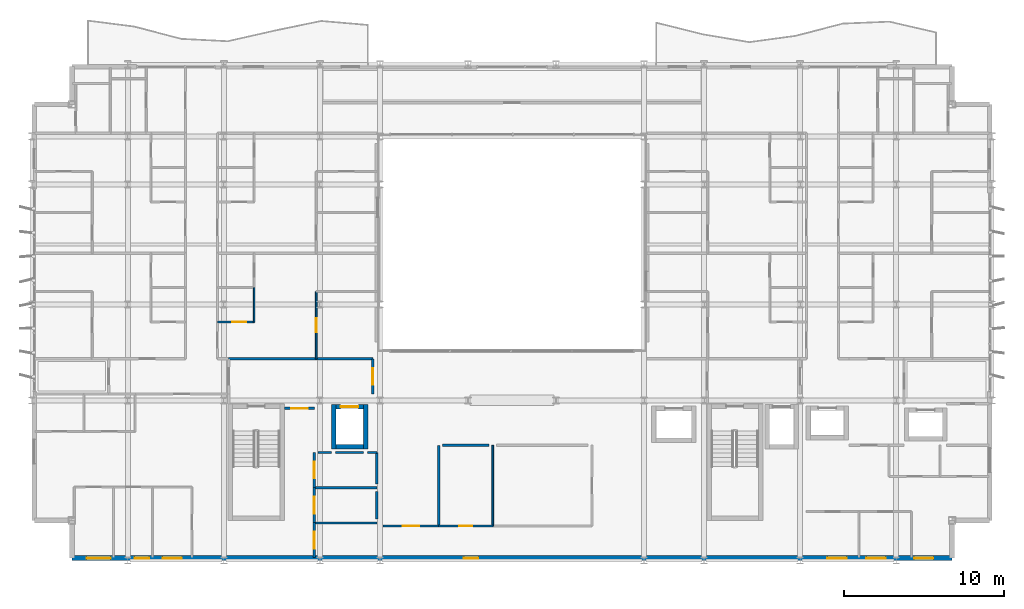
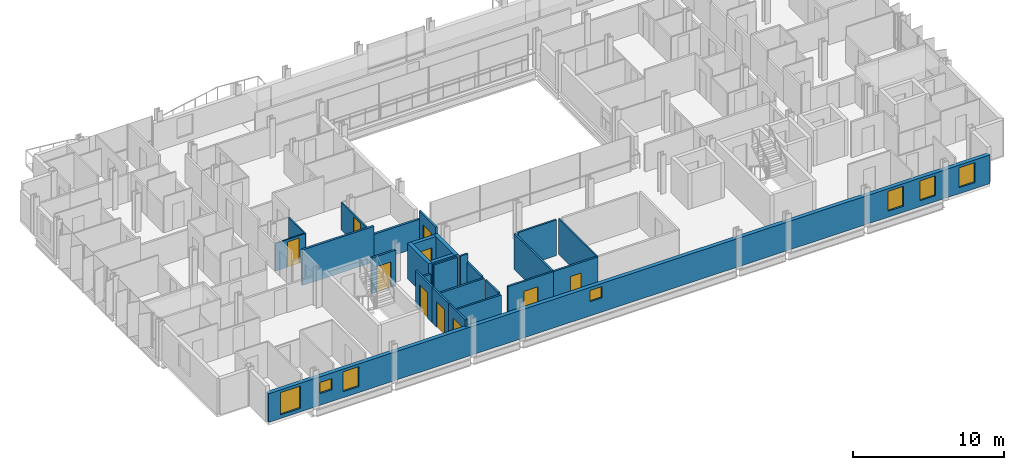
# One storey, part 28 of 39: 27 walls, 10 doors, 7 windows, 17 openings.
"""IFC4 building model written with IfcOpenShell, lengths in metres."""

from ifc_helpers import new_model, si_unit, direction, frame, frame_2d, origin, place, context, subcontext, project, spatial, rectangle, extrude, material, layer, layer_set, type_object, element, fill, save


model = new_model("IFC4")

# Units and contexts
model_context = context("Model", 3, precision=1e-05, world=origin(), true_north=direction((0.0, 1.0)))
body_context = subcontext(model_context, "Body", "Model", "MODEL_VIEW")
ifc_project = project(units=[si_unit("LENGTHUNIT", "METRE"), si_unit("AREAUNIT", "SQUARE_METRE"), si_unit("VOLUMEUNIT", "CUBIC_METRE"), si_unit("PLANEANGLEUNIT", "RADIAN"), si_unit("MASSUNIT", "GRAM", prefix="KILO")], contexts=[model_context])

# Site, building, storey
site_placement = place(None, origin())
site = spatial("IfcSite", under=ifc_project, at=site_placement, CompositionType="ELEMENT")
building_placement = place(site_placement, origin())
building = spatial("IfcBuilding", under=site, at=building_placement, Name="Brevholm Reach", CompositionType="ELEMENT")
storey_placement = place(building_placement, frame((0.0, 0.0, 77.60009765625)))
storey = spatial("IfcBuildingStorey", under=building, at=storey_placement, Name="L22", CompositionType="ELEMENT", Elevation=77.60009765625)

# Walls
ifc_material_1 = material(Name="Concrete C50/60", Category="concrete")
ifc_layer_1 = layer(ifc_material_1, 0.280029296875)
ifc_layer_set_1 = layer_set([ifc_layer_1], Name="Concrete C50/60")
wall_type_1 = type_object("IfcWallType", Name="WAL-COR-280", PredefinedType="SHEAR", material=ifc_layer_set_1)
for number, where, z_axis, x_axis, name in (
    (1, (18.85009765625, 6.9599609375, 0.0), (0.0, 0.0, 1.0), (0.0, 1.0, 0.0), "L22 Lift FFL-1 Shaft Wall W"),
    (2, (20.85009765625, 6.9599609375, 0.0), (0.0, 0.0, 1.0), (0.0, 1.0, 0.0), "L22 Lift FFL-1 Shaft Wall E"),
):
    element("IfcWall", number, at=place(storey_placement, frame(where, z_axis=z_axis, x_axis=x_axis)), inside=storey, type_object=wall_type_1, Name=name, PredefinedType="SHEAR", context=body_context, shape_type="SweptSolid", body=[
        extrude(rectangle(XDim=2.780029296875, YDim=0.280029296875, at=frame_2d((1.39013671875, 0.0))), origin(), (0.0, 0.0, 1.0), 2.869873046875),
    ])
wall_1_placement = place(storey_placement, frame((18.989990234375, 7.10009765625, 0.0), z_axis=(0.0, 0.0, 1.0), x_axis=(1.0, 0.0, 0.0)))
element("IfcWall", 3, at=wall_1_placement, inside=storey, type_object=wall_type_1, Name="L22 Lift FFL-1 Shaft Wall S", PredefinedType="SHEAR", context=body_context, shape_type="SweptSolid", body=[
    extrude(rectangle(XDim=1.719970703125, YDim=0.280029296875, at=frame_2d((0.85986328125, 0.0))), origin(), (0.0, 0.0, 1.0), 2.869873046875),
])

# Wall, opening, door
wall_2_placement = place(storey_placement, frame((18.989990234375, 9.60009765625, 0.0), z_axis=(0.0, 0.0, 1.0), x_axis=(1.0, 0.0, 0.0)))
wall_2 = element("IfcWall", 4, at=wall_2_placement, inside=storey, type_object=wall_type_1, Name="L22 Lift FFL-1 Shaft Wall N", PredefinedType="SHEAR", context=body_context, shape_type="SweptSolid", body=[
    extrude(rectangle(XDim=1.719970703125, YDim=0.280029296875, at=frame_2d((0.85986328125, 0.0))), origin(), (0.0, 0.0, 1.0), 2.869873046875),
])
opening_1_placement = place(wall_2_placement, frame((0.31005859375, 0.0, 0.0)))
opening_1 = element("IfcOpeningElement", 5, at=opening_1_placement, cuts=wall_2, Name="Opening LD-FFL-1", PredefinedType="OPENING", context=body_context, shape_type="SweptSolid", body=[
    extrude(rectangle(XDim=1.10009765625, YDim=2.06005859375, at=frame_2d((0.550048828125, 1.030029296875))), frame((0.0, 0.14990234375, 0.0), z_axis=(0.0, -1.0, 0.0), x_axis=(1.0, 0.0, 0.0)), (0.0, 0.0, 1.0), 0.300048828125),
])
ifc_material_2 = material(Name="Brushed Stainless Steel Fire-Rated Sliding Lift Door", Category="steel")
door_type_1 = type_object("IfcDoorType", Name="DOR-LFT-1100", OperationType="NOTDEFINED", PredefinedType="DOOR", material=ifc_material_2)
door_1_placement = place(opening_1_placement, origin())
door_1 = element("IfcDoor", 6, at=door_1_placement, inside=storey, type_object=door_type_1, Name="L22 Lift FFL-1 Sliding Landing Door", OperationType="SLIDING_TO_RIGHT", OverallHeight=2.06005859375, OverallWidth=1.10009765625, PredefinedType="DOOR", context=body_context, shape_type="SweptSolid", body=[
    extrude(rectangle(XDim=1.10009765625, YDim=2.06005859375, at=frame_2d((0.550048828125, 1.030029296875))), frame((0.0, 0.02490234375, 0.0), z_axis=(0.0, -1.0, 0.0), x_axis=(1.0, 0.0, 0.0)), (0.0, 0.0, 1.0), 0.050048828125),
])
fill(opening_1, door_1)

# Wall, openings, windows
ifc_material_3 = material(Name="Concrete C40/50", Category="concrete")
ifc_layer_2 = layer(ifc_material_3, 0.300048828125)
ifc_layer_set_2 = layer_set([ifc_layer_2], Name="Concrete C40/50")
wall_type_2 = type_object("IfcWallType", Name="WAL-EXT-300", PredefinedType="STANDARD", material=ifc_layer_set_2)
wall_3_placement = place(storey_placement, frame((2.5, 0.14990234375, 0.0), z_axis=(0.0, 0.0, 1.0), x_axis=(1.0, 0.0, 0.0)))
wall_3 = element("IfcWall", 7, at=wall_3_placement, inside=storey, type_object=wall_type_2, Name="L22 Facade Wall WAL-L22-S", PredefinedType="STANDARD", context=body_context, shape_type="SweptSolid", body=[
    extrude(rectangle(XDim=55.0, YDim=0.300048828125, at=frame_2d((27.5, 0.0))), origin(), (0.0, 0.0, 1.0), 2.305419921875),
])
opening_2_placement = place(wall_3_placement, frame((0.919921875, 0.0, 0.285888671875)))
opening_2 = element("IfcOpeningElement", 8, at=opening_2_placement, cuts=wall_3, Name="Opening WN-05", PredefinedType="OPENING", context=body_context, shape_type="SweptSolid", body=[
    extrude(rectangle(XDim=1.5, YDim=1.800048828125, at=frame_2d((0.75, 0.89990234375))), frame((0.0, 0.159912109375, 0.0), z_axis=(0.0, -1.0, 0.0), x_axis=(1.0, 0.0, 0.0)), (0.0, 0.0, 1.0), 0.320068359375),
])
opening_3_placement = place(wall_3_placement, frame((24.5, 0.0, 1.14990234375)))
opening_3 = element("IfcOpeningElement", 9, at=opening_3_placement, cuts=wall_3, Name="Opening WN-09", PredefinedType="OPENING", context=body_context, shape_type="SweptSolid", body=[
    extrude(rectangle(XDim=0.89990234375, YDim=0.89990234375, at=frame_2d((0.449951171875, 0.449951171875))), frame((0.0, 0.159912109375, 0.0), z_axis=(0.0, -1.0, 0.0), x_axis=(1.0, 0.0, 0.0)), (0.0, 0.0, 1.0), 0.320068359375),
])
opening_4_placement = place(wall_3_placement, frame((47.199951171875, 0.0, 0.486083984375)))
opening_4 = element("IfcOpeningElement", 10, at=opening_4_placement, cuts=wall_3, Name="Opening WN-08", PredefinedType="OPENING", context=body_context, shape_type="SweptSolid", body=[
    extrude(rectangle(XDim=1.199951171875, YDim=1.60009765625, at=frame_2d((0.60009765625, 0.800048828125))), frame((0.0, 0.159912109375, 0.0), z_axis=(0.0, -1.0, 0.0), x_axis=(1.0, 0.0, 0.0)), (0.0, 0.0, 1.0), 0.320068359375),
])
opening_5_placement = place(wall_3_placement, frame((52.6298828125, 0.0, 0.486083984375)))
opening_5 = element("IfcOpeningElement", 11, at=opening_5_placement, cuts=wall_3, Name="Opening WN-08", PredefinedType="OPENING", context=body_context, shape_type="SweptSolid", body=[
    extrude(rectangle(XDim=1.199951171875, YDim=1.60009765625, at=frame_2d((0.60009765625, 0.800048828125))), frame((0.0, 0.159912109375, 0.0), z_axis=(0.0, -1.0, 0.0), x_axis=(1.0, 0.0, 0.0)), (0.0, 0.0, 1.0), 0.320068359375),
])
opening_6_placement = place(wall_3_placement, frame((3.923828125, 0.0, 0.949951171875)))
opening_6 = element("IfcOpeningElement", 12, at=opening_6_placement, cuts=wall_3, Name="Opening WN-09", PredefinedType="OPENING", context=body_context, shape_type="SweptSolid", body=[
    extrude(rectangle(XDim=0.89990234375, YDim=0.89990234375, at=frame_2d((0.449951171875, 0.449951171875))), frame((0.0, 0.159912109375, 0.0), z_axis=(0.0, -1.0, 0.0), x_axis=(1.0, 0.0, 0.0)), (0.0, 0.0, 1.0), 0.320068359375),
])
opening_7_placement = place(wall_3_placement, frame((5.675048828125, 0.0, 0.485595703125)))
opening_7 = element("IfcOpeningElement", 13, at=opening_7_placement, cuts=wall_3, Name="Opening WN-08", PredefinedType="OPENING", context=body_context, shape_type="SweptSolid", body=[
    extrude(rectangle(XDim=1.199951171875, YDim=1.60009765625, at=frame_2d((0.60009765625, 0.800048828125))), frame((0.0, 0.159912109375, 0.0), z_axis=(0.0, -1.0, 0.0), x_axis=(1.0, 0.0, 0.0)), (0.0, 0.0, 1.0), 0.320068359375),
])
opening_8_placement = place(wall_3_placement, frame((49.638671875, 0.0, 0.485595703125)))
opening_8 = element("IfcOpeningElement", 14, at=opening_8_placement, cuts=wall_3, Name="Opening WN-08", PredefinedType="OPENING", context=body_context, shape_type="SweptSolid", body=[
    extrude(rectangle(XDim=1.199951171875, YDim=1.60009765625, at=frame_2d((0.60009765625, 0.800048828125))), frame((0.0, 0.159912109375, 0.0), z_axis=(0.0, -1.0, 0.0), x_axis=(1.0, 0.0, 0.0)), (0.0, 0.0, 1.0), 0.320068359375),
])
ifc_material_4 = material(Name="Dark Anodised Aluminium and Solar-Control IGU Glass", Category="aluminium")
window_type_1 = type_object("IfcWindowType", Name="WIN-POR-0900", PartitioningType="SINGLE_PANEL", PredefinedType="WINDOW", material=ifc_material_4)
window_1_placement = place(opening_3_placement, origin())
window_1 = element("IfcWindow", 15, at=window_1_placement, inside=storey, type_object=window_type_1, Name="L22 Window WIN-L22-S-POR", OverallHeight=0.89990234375, OverallWidth=0.89990234375, PartitioningType="SINGLE_PANEL", PredefinedType="WINDOW", context=body_context, shape_type="SweptSolid", body=[
    extrude(rectangle(XDim=0.89990234375, YDim=0.89990234375, at=frame_2d((0.449951171875, 0.449951171875))), frame((0.0, 0.030029296875, 0.0), z_axis=(0.0, -1.0, 0.0), x_axis=(1.0, 0.0, 0.0)), (0.0, 0.0, 1.0), 0.06005859375),
])
fill(opening_3, window_1)
window_2_placement = place(opening_6_placement, origin())
window_2 = element("IfcWindow", 16, at=window_2_placement, inside=storey, type_object=window_type_1, Name="L22 Bedroom Window 023", OverallHeight=0.89990234375, OverallWidth=0.89990234375, PartitioningType="SINGLE_PANEL", PredefinedType="WINDOW", context=body_context, shape_type="SweptSolid", body=[
    extrude(rectangle(XDim=0.89990234375, YDim=0.89990234375, at=frame_2d((0.449951171875, 0.449951171875))), frame((0.0, 0.030029296875, 0.0), z_axis=(0.0, -1.0, 0.0), x_axis=(1.0, 0.0, 0.0)), (0.0, 0.0, 1.0), 0.06005859375),
])
fill(opening_6, window_2)
ifc_material_5 = material(Name="Dark Anodised Aluminium and Solar-Control IGU Glass", Category="aluminium")
window_type_2 = type_object("IfcWindowType", Name="WIN-RES-1200", PartitioningType="SINGLE_PANEL", PredefinedType="WINDOW", material=ifc_material_5)
window_3_placement = place(opening_4_placement, origin())
window_3 = element("IfcWindow", 17, at=window_3_placement, inside=storey, type_object=window_type_2, Name="L22 Window WIN-L22-S-E1", OverallHeight=1.60009765625, OverallWidth=1.199951171875, PartitioningType="SINGLE_PANEL", PredefinedType="WINDOW", context=body_context, shape_type="SweptSolid", body=[
    extrude(rectangle(XDim=1.199951171875, YDim=1.60009765625, at=frame_2d((0.60009765625, 0.800048828125))), frame((0.0, 0.030029296875, 0.0), z_axis=(0.0, -1.0, 0.0), x_axis=(1.0, 0.0, 0.0)), (0.0, 0.0, 1.0), 0.06005859375),
])
fill(opening_4, window_3)
window_4_placement = place(opening_5_placement, origin())
window_4 = element("IfcWindow", 18, at=window_4_placement, inside=storey, type_object=window_type_2, Name="L22 Window WIN-L22-S-E2", OverallHeight=1.60009765625, OverallWidth=1.199951171875, PartitioningType="SINGLE_PANEL", PredefinedType="WINDOW", context=body_context, shape_type="SweptSolid", body=[
    extrude(rectangle(XDim=1.199951171875, YDim=1.60009765625, at=frame_2d((0.60009765625, 0.800048828125))), frame((0.0, 0.030029296875, 0.0), z_axis=(0.0, -1.0, 0.0), x_axis=(1.0, 0.0, 0.0)), (0.0, 0.0, 1.0), 0.06005859375),
])
fill(opening_5, window_4)
window_5_placement = place(opening_7_placement, origin())
window_5 = element("IfcWindow", 19, at=window_5_placement, inside=storey, type_object=window_type_2, Name="L22 Bedroom Window 024", OverallHeight=1.60009765625, OverallWidth=1.199951171875, PartitioningType="SINGLE_PANEL", PredefinedType="WINDOW", context=body_context, shape_type="SweptSolid", body=[
    extrude(rectangle(XDim=1.199951171875, YDim=1.60009765625, at=frame_2d((0.60009765625, 0.800048828125))), frame((0.0, 0.030029296875, 0.0), z_axis=(0.0, -1.0, 0.0), x_axis=(1.0, 0.0, 0.0)), (0.0, 0.0, 1.0), 0.06005859375),
])
fill(opening_7, window_5)
window_6_placement = place(opening_8_placement, origin())
window_6 = element("IfcWindow", 20, at=window_6_placement, inside=storey, type_object=window_type_2, Name="L22 Bedroom Window 025", OverallHeight=1.60009765625, OverallWidth=1.199951171875, PartitioningType="SINGLE_PANEL", PredefinedType="WINDOW", context=body_context, shape_type="SweptSolid", body=[
    extrude(rectangle(XDim=1.199951171875, YDim=1.60009765625, at=frame_2d((0.60009765625, 0.800048828125))), frame((0.0, 0.030029296875, 0.0), z_axis=(0.0, -1.0, 0.0), x_axis=(1.0, 0.0, 0.0)), (0.0, 0.0, 1.0), 0.06005859375),
])
fill(opening_8, window_6)
ifc_material_6 = material(Name="Dark Anodised Aluminium and Solar-Control IGU Glass", Category="aluminium")
window_type_3 = type_object("IfcWindowType", Name="WIN-RES-1500", PartitioningType="SINGLE_PANEL", PredefinedType="WINDOW", material=ifc_material_6)
window_7_placement = place(opening_2_placement, origin())
window_7 = element("IfcWindow", 21, at=window_7_placement, inside=storey, type_object=window_type_3, Name="L22 Window WIN-L22-S-W1", OverallHeight=1.800048828125, OverallWidth=1.5, PartitioningType="SINGLE_PANEL", PredefinedType="WINDOW", context=body_context, shape_type="SweptSolid", body=[
    extrude(rectangle(XDim=1.5, YDim=1.800048828125, at=frame_2d((0.75, 0.89990234375))), frame((0.0, 0.030029296875, 0.0), z_axis=(0.0, -1.0, 0.0), x_axis=(1.0, 0.0, 0.0)), (0.0, 0.0, 1.0), 0.06005859375),
])
fill(opening_2, window_7)

# Wall
ifc_material_7 = material(Name="Moisture-Resistant Acoustic Gypsum Stud Partition 100 mm", Category="gypsum")
ifc_layer_3 = layer(ifc_material_7, 0.10009765625)
ifc_layer_set_3 = layer_set([ifc_layer_3], Name="Moisture-Resistant Acoustic Gypsum Stud Partition 100 mm")
wall_type_3 = type_object("IfcWallType", Name="WAL-PRT-100", PredefinedType="PARTITIONING", material=ifc_layer_set_3)
wall_4_placement = place(storey_placement, frame((28.800048828125, 2.154052734375, 0.0), z_axis=(0.0, 0.0, 1.0), x_axis=(0.0, 1.0, 0.0)))
element("IfcWall", 22, at=wall_4_placement, inside=storey, type_object=wall_type_3, Name="L22 Internal Partition 006", PredefinedType="PARTITIONING", context=body_context, shape_type="SweptSolid", body=[
    extrude(rectangle(XDim=5.0458984375, YDim=0.10009765625, at=frame_2d((2.52294921875, 0.0))), origin(), (0.0, 0.0, 1.0), 2.869873046875),
])

# Wall, opening, door
wall_5_placement = place(storey_placement, frame((11.60400390625, 14.89990234375, 0.0), z_axis=(0.0, 0.0, 1.0), x_axis=(1.0, 0.0, 0.0)))
wall_5 = element("IfcWall", 23, at=wall_5_placement, inside=storey, type_object=wall_type_3, Name="L22 Internal Partition 116", PredefinedType="PARTITIONING", context=body_context, shape_type="SweptSolid", body=[
    extrude(rectangle(XDim=2.284912109375, YDim=0.10009765625, at=frame_2d((1.142578125, 0.0))), origin(), (0.0, 0.0, 1.0), 2.224609375),
])
opening_9_placement = place(wall_5_placement, frame((0.922607421875, 0.0, 0.0)))
opening_9 = element("IfcOpeningElement", 24, at=opening_9_placement, cuts=wall_5, Name="Opening ID-01", PredefinedType="OPENING", context=body_context, shape_type="SweptSolid", body=[
    extrude(rectangle(XDim=0.8798828125, YDim=2.0400390625, at=frame_2d((0.43994140625, 1.02001953125))), frame((0.0, 0.06005859375, 0.0), z_axis=(0.0, -1.0, 0.0), x_axis=(1.0, 0.0, 0.0)), (0.0, 0.0, 1.0), 0.1201171875),
])
ifc_material_8 = material(Name="Lacquered Ash Solid-Core Acoustic Internal Door", Category="timber")
door_type_2 = type_object("IfcDoorType", Name="DOR-INT-880", OperationType="NOTDEFINED", PredefinedType="DOOR", material=ifc_material_8)
door_2_placement = place(opening_9_placement, origin())
door_2 = element("IfcDoor", 25, at=door_2_placement, inside=storey, type_object=door_type_2, Name="L22 Internal Door 044", OperationType="SINGLE_SWING_LEFT", OverallHeight=2.0400390625, OverallWidth=0.8798828125, PredefinedType="DOOR", context=body_context, shape_type="SweptSolid", body=[
    extrude(rectangle(XDim=0.8798828125, YDim=2.0400390625, at=frame_2d((0.43994140625, 1.02001953125))), frame((0.0, 0.02490234375, 0.0), z_axis=(0.0, -1.0, 0.0), x_axis=(1.0, 0.0, 0.0)), (0.0, 0.0, 1.0), 0.050048828125),
])
fill(opening_9, door_2)

# Wall
wall_6_placement = place(storey_placement, frame((13.888916015625, 14.89990234375, 0.0), z_axis=(0.0, 0.0, 1.0), x_axis=(0.0, 1.0, 0.0)))
element("IfcWall", 26, at=wall_6_placement, inside=storey, type_object=wall_type_3, Name="L22 Internal Partition 117", PredefinedType="PARTITIONING", context=body_context, shape_type="SweptSolid", body=[
    extrude(rectangle(XDim=2.14599609375, YDim=0.10009765625, at=frame_2d((1.072998046875, 0.0))), origin(), (0.0, 0.0, 1.0), 2.224609375),
])

# Wall, opening, door
wall_7_placement = place(storey_placement, frame((17.76904296875, 12.60400390625, 0.0), z_axis=(0.0, 0.0, 1.0), x_axis=(0.0, 1.0, 0.0)))
wall_7 = element("IfcWall", 27, at=wall_7_placement, inside=storey, type_object=wall_type_3, Name="L22 Internal Partition 119", PredefinedType="PARTITIONING", context=body_context, shape_type="SweptSolid", body=[
    extrude(rectangle(XDim=4.196044921875, YDim=0.10009765625, at=frame_2d((2.09814453125, 0.0))), origin(), (0.0, 0.0, 1.0), 2.224609375),
])
opening_10_placement = place(wall_7_placement, frame((1.657958984375, 0.0, 0.0)))
opening_10 = element("IfcOpeningElement", 28, at=opening_10_placement, cuts=wall_7, Name="Opening ID-01", PredefinedType="OPENING", context=body_context, shape_type="SweptSolid", body=[
    extrude(rectangle(XDim=0.8798828125, YDim=2.0400390625, at=frame_2d((0.43994140625, 1.02001953125))), frame((0.0, 0.06005859375, 0.0), z_axis=(0.0, -1.0, 0.0), x_axis=(1.0, 0.0, 0.0)), (0.0, 0.0, 1.0), 0.1201171875),
])
door_3_placement = place(opening_10_placement, origin())
door_3 = element("IfcDoor", 29, at=door_3_placement, inside=storey, type_object=door_type_2, Name="L22 Internal Door 045", OperationType="SINGLE_SWING_RIGHT", OverallHeight=2.0400390625, OverallWidth=0.8798828125, PredefinedType="DOOR", context=body_context, shape_type="SweptSolid", body=[
    extrude(rectangle(XDim=0.8798828125, YDim=2.0400390625, at=frame_2d((0.43994140625, 1.02001953125))), frame((0.0, 0.02490234375, 0.0), z_axis=(0.0, -1.0, 0.0), x_axis=(1.0, 0.0, 0.0)), (0.0, 0.0, 1.0), 0.050048828125),
])
fill(opening_10, door_3)

ifc_material_9 = material(Name="Twin-Stud Acoustic Fire-Rated Gypsum Partition 140 mm", Category="gypsum")
ifc_layer_4 = layer(ifc_material_9, 0.139892578125)
ifc_layer_set_4 = layer_set([ifc_layer_4], Name="Twin-Stud Acoustic Fire-Rated Gypsum Partition 140 mm")
wall_type_4 = type_object("IfcWallType", Name="WAL-PRT-140", PredefinedType="PARTITIONING", material=ifc_layer_set_4)
wall_8_placement = place(storey_placement, frame((21.949951171875, 2.14990234375, 0.0), z_axis=(0.0, 0.0, 1.0), x_axis=(1.0, 0.0, 0.0)))
wall_8 = element("IfcWall", 30, at=wall_8_placement, inside=storey, type_object=wall_type_4, Name="L22 Internal Partition 002", PredefinedType="PARTITIONING", context=body_context, shape_type="SweptSolid", body=[
    extrude(rectangle(XDim=3.4814453125, YDim=0.139892578125, at=frame_2d((1.74072265625, 0.0))), origin(), (0.0, 0.0, 1.0), 2.869873046875),
])
opening_11_placement = place(wall_8_placement, frame((1.2158203125, 0.0, 0.0)))
opening_11 = element("IfcOpeningElement", 31, at=opening_11_placement, cuts=wall_8, Name="Opening FD-01", PredefinedType="OPENING", context=body_context, shape_type="SweptSolid", body=[
    extrude(rectangle(XDim=1.050048828125, YDim=2.06005859375, at=frame_2d((0.52490234375, 1.030029296875))), frame((0.0, 0.079833984375, 0.0), z_axis=(0.0, -1.0, 0.0), x_axis=(1.0, 0.0, 0.0)), (0.0, 0.0, 1.0), 0.159912109375),
])
ifc_material_10 = material(Name="Hardwood-Lipped Steel-Core Fire and Smoke Door", Category="steel")
door_type_3 = type_object("IfcDoorType", Name="DOR-INT-FD60S", OperationType="NOTDEFINED", PredefinedType="DOOR", material=ifc_material_10)
door_4_placement = place(opening_11_placement, origin())
door_4 = element("IfcDoor", 32, at=door_4_placement, inside=storey, type_object=door_type_3, Name="L22 Internal Door 002", OperationType="SINGLE_SWING_LEFT", OverallHeight=2.06005859375, OverallWidth=1.050048828125, PredefinedType="DOOR", context=body_context, shape_type="SweptSolid", body=[
    extrude(rectangle(XDim=1.050048828125, YDim=2.06005859375, at=frame_2d((0.52490234375, 1.030029296875))), frame((0.0, 0.02490234375, 0.0), z_axis=(0.0, -1.0, 0.0), x_axis=(1.0, 0.0, 0.0)), (0.0, 0.0, 1.0), 0.050048828125),
])
fill(opening_11, door_4)

wall_9_placement = place(storey_placement, frame((25.41259765625, 2.14990234375, 0.0), z_axis=(0.0, 0.0, 1.0), x_axis=(1.0, 0.0, 0.0)))
wall_9 = element("IfcWall", 33, at=wall_9_placement, inside=storey, type_object=wall_type_4, Name="L22 Internal Partition 003", PredefinedType="PARTITIONING", context=body_context, shape_type="SweptSolid", body=[
    extrude(rectangle(XDim=3.398681640625, YDim=0.139892578125, at=frame_2d((1.69921875, 0.0))), origin(), (0.0, 0.0, 1.0), 2.869873046875),
])
opening_12_placement = place(wall_9_placement, frame((1.289306640625, 0.0, 0.0)))
opening_12 = element("IfcOpeningElement", 34, at=opening_12_placement, cuts=wall_9, Name="Opening ID-02", PredefinedType="OPENING", context=body_context, shape_type="SweptSolid", body=[
    extrude(rectangle(XDim=0.820068359375, YDim=2.02001953125, at=frame_2d((0.41015625, 1.010009765625))), frame((0.0, 0.079833984375, 0.0), z_axis=(0.0, -1.0, 0.0), x_axis=(1.0, 0.0, 0.0)), (0.0, 0.0, 1.0), 0.159912109375),
])
ifc_material_11 = material(Name="Moisture-Resistant Painted Timber Fire-Rated Riser and Service Door", Category="wood")
door_type_4 = type_object("IfcDoorType", Name="DOR-SRV-820", OperationType="NOTDEFINED", PredefinedType="DOOR", material=ifc_material_11)
door_5_placement = place(opening_12_placement, origin())
door_5 = element("IfcDoor", 35, at=door_5_placement, inside=storey, type_object=door_type_4, Name="L22 Internal Door 003", OperationType="SINGLE_SWING_RIGHT", OverallHeight=2.02001953125, OverallWidth=0.820068359375, PredefinedType="DOOR", context=body_context, shape_type="SweptSolid", body=[
    extrude(rectangle(XDim=0.820068359375, YDim=2.02001953125, at=frame_2d((0.41015625, 1.010009765625))), frame((0.0, 0.02490234375, 0.0), z_axis=(0.0, -1.0, 0.0), x_axis=(1.0, 0.0, 0.0)), (0.0, 0.0, 1.0), 0.050048828125),
])
fill(opening_12, door_5)

# Wall
wall_10_placement = place(storey_placement, frame((25.419921875, 2.154052734375, 0.0), z_axis=(0.0, 0.0, 1.0), x_axis=(0.0, 1.0, 0.0)))
element("IfcWall", 36, at=wall_10_placement, inside=storey, type_object=wall_type_4, Name="L22 Internal Partition 005", PredefinedType="PARTITIONING", context=body_context, shape_type="SweptSolid", body=[
    extrude(rectangle(XDim=5.0458984375, YDim=0.139892578125, at=frame_2d((2.52294921875, 0.0))), origin(), (0.0, 0.0, 1.0), 2.869873046875),
])

# Wall, opening, door
wall_11_placement = place(storey_placement, frame((17.64990234375, 0.179931640625, 0.0), z_axis=(0.0, 0.0, 1.0), x_axis=(0.0, 1.0, 0.0)))
wall_11 = element("IfcWall", 37, at=wall_11_placement, inside=storey, type_object=wall_type_4, Name="L22 Internal Partition 007", PredefinedType="PARTITIONING", context=body_context, shape_type="SweptSolid", body=[
    extrude(rectangle(XDim=2.181396484375, YDim=0.139892578125, at=frame_2d((1.0908203125, 0.0))), origin(), (0.0, 0.0, 1.0), 2.869873046875),
])
opening_13_placement = place(wall_11_placement, frame((0.565673828125, 0.0, 0.0)))
opening_13 = element("IfcOpeningElement", 38, at=opening_13_placement, cuts=wall_11, Name="Opening FD-01", PredefinedType="OPENING", context=body_context, shape_type="SweptSolid", body=[
    extrude(rectangle(XDim=1.050048828125, YDim=2.06005859375, at=frame_2d((0.52490234375, 1.030029296875))), frame((0.0, 0.079833984375, 0.0), z_axis=(0.0, -1.0, 0.0), x_axis=(1.0, 0.0, 0.0)), (0.0, 0.0, 1.0), 0.159912109375),
])
door_6_placement = place(opening_13_placement, origin())
door_6 = element("IfcDoor", 39, at=door_6_placement, inside=storey, type_object=door_type_3, Name="L22 Internal Door 004", OperationType="SINGLE_SWING_LEFT", OverallHeight=2.06005859375, OverallWidth=1.050048828125, PredefinedType="DOOR", context=body_context, shape_type="SweptSolid", body=[
    extrude(rectangle(XDim=1.050048828125, YDim=2.06005859375, at=frame_2d((0.52490234375, 1.030029296875))), frame((0.0, 0.02490234375, 0.0), z_axis=(0.0, -1.0, 0.0), x_axis=(1.0, 0.0, 0.0)), (0.0, 0.0, 1.0), 0.050048828125),
])
fill(opening_13, door_6)

wall_12_placement = place(storey_placement, frame((17.64990234375, 2.3427734375, 0.0), z_axis=(0.0, 0.0, 1.0), x_axis=(0.0, 1.0, 0.0)))
wall_12 = element("IfcWall", 40, at=wall_12_placement, inside=storey, type_object=wall_type_4, Name="L22 Internal Partition 008", PredefinedType="PARTITIONING", context=body_context, shape_type="SweptSolid", body=[
    extrude(rectangle(XDim=2.218505859375, YDim=0.139892578125, at=frame_2d((1.109375, 0.0))), origin(), (0.0, 0.0, 1.0), 2.869873046875),
])
opening_14_placement = place(wall_12_placement, frame((0.584228515625, 0.0, 0.0)))
opening_14 = element("IfcOpeningElement", 41, at=opening_14_placement, cuts=wall_12, Name="Opening FD-01", PredefinedType="OPENING", context=body_context, shape_type="SweptSolid", body=[
    extrude(rectangle(XDim=1.050048828125, YDim=2.06005859375, at=frame_2d((0.52490234375, 1.030029296875))), frame((0.0, 0.079833984375, 0.0), z_axis=(0.0, -1.0, 0.0), x_axis=(1.0, 0.0, 0.0)), (0.0, 0.0, 1.0), 0.159912109375),
])
door_7_placement = place(opening_14_placement, origin())
door_7 = element("IfcDoor", 42, at=door_7_placement, inside=storey, type_object=door_type_3, Name="L22 Internal Door 005", OperationType="SINGLE_SWING_RIGHT", OverallHeight=2.06005859375, OverallWidth=1.050048828125, PredefinedType="DOOR", context=body_context, shape_type="SweptSolid", body=[
    extrude(rectangle(XDim=1.050048828125, YDim=2.06005859375, at=frame_2d((0.52490234375, 1.030029296875))), frame((0.0, 0.02490234375, 0.0), z_axis=(0.0, -1.0, 0.0), x_axis=(1.0, 0.0, 0.0)), (0.0, 0.0, 1.0), 0.050048828125),
])
fill(opening_14, door_7)

wall_13_placement = place(storey_placement, frame((17.64990234375, 4.542724609375, 0.0), z_axis=(0.0, 0.0, 1.0), x_axis=(0.0, 1.0, 0.0)))
wall_13 = element("IfcWall", 43, at=wall_13_placement, inside=storey, type_object=wall_type_4, Name="L22 Internal Partition 009", PredefinedType="PARTITIONING", context=body_context, shape_type="SweptSolid", body=[
    extrude(rectangle(XDim=2.218505859375, YDim=0.139892578125, at=frame_2d((1.109375, 0.0))), origin(), (0.0, 0.0, 1.0), 2.869873046875),
])
opening_15_placement = place(wall_13_placement, frame((0.584228515625, 0.0, 0.0)))
opening_15 = element("IfcOpeningElement", 44, at=opening_15_placement, cuts=wall_13, Name="Opening FD-01", PredefinedType="OPENING", context=body_context, shape_type="SweptSolid", body=[
    extrude(rectangle(XDim=1.050048828125, YDim=2.06005859375, at=frame_2d((0.52490234375, 1.030029296875))), frame((0.0, 0.079833984375, 0.0), z_axis=(0.0, -1.0, 0.0), x_axis=(1.0, 0.0, 0.0)), (0.0, 0.0, 1.0), 0.159912109375),
])
door_8_placement = place(opening_15_placement, origin())
door_8 = element("IfcDoor", 45, at=door_8_placement, inside=storey, type_object=door_type_3, Name="L22 Internal Door 006", OperationType="SINGLE_SWING_LEFT", OverallHeight=2.06005859375, OverallWidth=1.050048828125, PredefinedType="DOOR", context=body_context, shape_type="SweptSolid", body=[
    extrude(rectangle(XDim=1.050048828125, YDim=2.06005859375, at=frame_2d((0.52490234375, 1.030029296875))), frame((0.0, 0.02490234375, 0.0), z_axis=(0.0, -1.0, 0.0), x_axis=(1.0, 0.0, 0.0)), (0.0, 0.0, 1.0), 0.050048828125),
])
fill(opening_15, door_8)

# Walls
for number, where, z_axis, x_axis, name in (
    (46, (17.654052734375, 2.35009765625, 0.0), (0.0, 0.0, 1.0), (1.0, 0.0, 0.0), "L22 Internal Partition 011"),
    (47, (17.654052734375, 4.550048828125, 0.0), (0.0, 0.0, 1.0), (1.0, 0.0, 0.0), "L22 Internal Partition 012"),
):
    element("IfcWall", number, at=place(storey_placement, frame(where, z_axis=z_axis, x_axis=x_axis)), inside=storey, type_object=wall_type_4, Name=name, PredefinedType="PARTITIONING", context=body_context, shape_type="SweptSolid", body=[
        extrude(rectangle(XDim=3.89599609375, YDim=0.139892578125, at=frame_2d((1.947998046875, 0.0))), origin(), (0.0, 0.0, 1.0), 2.224609375),
    ])
wall_14_placement = place(storey_placement, frame((25.659912109375, 7.199951171875, 0.0), z_axis=(0.0, 0.0, 1.0), x_axis=(1.0, 0.0, 0.0)))
element("IfcWall", 48, at=wall_14_placement, inside=storey, type_object=wall_type_4, Name="L22 Internal Partition 181", PredefinedType="PARTITIONING", context=body_context, shape_type="SweptSolid", body=[
    extrude(rectangle(XDim=2.900146484375, YDim=0.139892578125, at=frame_2d((1.4501953125, 0.0))), origin(), (0.0, 0.0, 1.0), 2.869873046875),
])
wall_15_placement = place(storey_placement, frame((21.550048828125, 2.590087890625, 0.0), z_axis=(0.0, 0.0, 1.0), x_axis=(0.0, 1.0, 0.0)))
element("IfcWall", 49, at=wall_15_placement, inside=storey, type_object=wall_type_4, Name="L22 Internal Partition 183", PredefinedType="PARTITIONING", context=body_context, shape_type="SweptSolid", body=[
    extrude(rectangle(XDim=1.719970703125, YDim=0.139892578125, at=frame_2d((0.85986328125, 0.0))), origin(), (0.0, 0.0, 1.0), 2.224609375),
])
wall_16_placement = place(storey_placement, frame((21.550048828125, 4.7900390625, 0.0), z_axis=(0.0, 0.0, 1.0), x_axis=(0.0, 1.0, 0.0)))
element("IfcWall", 50, at=wall_16_placement, inside=storey, type_object=wall_type_4, Name="L22 Internal Partition 184", PredefinedType="PARTITIONING", context=body_context, shape_type="SweptSolid", body=[
    extrude(rectangle(XDim=1.9599609375, YDim=0.139892578125, at=frame_2d((0.97998046875, 0.0))), origin(), (0.0, 0.0, 1.0), 2.224609375),
])
wall_17_placement = place(storey_placement, frame((20.9658203125, 6.75, 0.0), z_axis=(0.0, 0.0, 1.0), x_axis=(1.0, 0.0, 0.0)))
element("IfcWall", 51, at=wall_17_placement, inside=storey, type_object=wall_type_4, Name="L22 Internal Partition 185", PredefinedType="PARTITIONING", context=body_context, shape_type="SweptSolid", body=[
    extrude(rectangle(XDim=0.584228515625, YDim=0.139892578125, at=frame_2d((0.2919921875, 0.0))), origin(), (0.0, 0.0, 1.0), 2.869873046875),
])
wall_18_placement = place(storey_placement, frame((18.9658203125, 6.75, 0.0), z_axis=(0.0, 0.0, 1.0), x_axis=(1.0, 0.0, 0.0)))
element("IfcWall", 52, at=wall_18_placement, inside=storey, type_object=wall_type_4, Name="L22 Internal Partition 186", PredefinedType="PARTITIONING", context=body_context, shape_type="SweptSolid", body=[
    extrude(rectangle(XDim=1.768310546875, YDim=0.139892578125, at=frame_2d((0.88427734375, 0.0))), origin(), (0.0, 0.0, 1.0), 2.869873046875),
])
wall_19_placement = place(storey_placement, frame((17.889892578125, 6.75, 0.0), z_axis=(0.0, 0.0, 1.0), x_axis=(1.0, 0.0, 0.0)))
element("IfcWall", 53, at=wall_19_placement, inside=storey, type_object=wall_type_4, Name="L22 Internal Partition 187", PredefinedType="PARTITIONING", context=body_context, shape_type="SweptSolid", body=[
    extrude(rectangle(XDim=0.84423828125, YDim=0.139892578125, at=frame_2d((0.422119140625, 0.0))), origin(), (0.0, 0.0, 1.0), 2.224609375),
])

# Wall, opening, door
ifc_material_12 = material(Name="Twin-Frame Fire-Rated Gypsum Board and Mineral Wool 160 mm", Category="gypsum")
ifc_layer_5 = layer(ifc_material_12, 0.159912109375)
ifc_layer_set_5 = layer_set([ifc_layer_5], Name="Twin-Frame Fire-Rated Gypsum Board and Mineral Wool 160 mm")
wall_type_5 = type_object("IfcWallType", Name="WAL-PRT-160", PredefinedType="PARTITIONING", material=ifc_layer_set_5)
wall_20_placement = place(storey_placement, frame((15.800048828125, 9.5, 0.0), z_axis=(0.0, 0.0, 1.0), x_axis=(1.0, 0.0, 0.0)))
wall_20 = element("IfcWall", 54, at=wall_20_placement, inside=storey, type_object=wall_type_5, Name="L22 Internal Partition 010", PredefinedType="PARTITIONING", context=body_context, shape_type="SweptSolid", body=[
    extrude(rectangle(XDim=1.849853515625, YDim=0.159912109375, at=frame_2d((0.9248046875, 0.0))), origin(), (0.0, 0.0, 1.0), 2.869873046875),
])
opening_16_placement = place(wall_20_placement, frame((0.39990234375, 0.0, 0.0)))
opening_16 = element("IfcOpeningElement", 55, at=opening_16_placement, cuts=wall_20, Name="Opening FD-01", PredefinedType="OPENING", context=body_context, shape_type="SweptSolid", body=[
    extrude(rectangle(XDim=1.050048828125, YDim=2.06005859375, at=frame_2d((0.52490234375, 1.030029296875))), frame((0.0, 0.08984375, 0.0), z_axis=(0.0, -1.0, 0.0), x_axis=(1.0, 0.0, 0.0)), (0.0, 0.0, 1.0), 0.179931640625),
])
door_9_placement = place(opening_16_placement, origin())
door_9 = element("IfcDoor", 56, at=door_9_placement, inside=storey, type_object=door_type_3, Name="L22 Internal Door 007", OperationType="SINGLE_SWING_RIGHT", OverallHeight=2.06005859375, OverallWidth=1.050048828125, PredefinedType="DOOR", context=body_context, shape_type="SweptSolid", body=[
    extrude(rectangle(XDim=1.050048828125, YDim=2.06005859375, at=frame_2d((0.52490234375, 1.030029296875))), frame((0.0, 0.02490234375, 0.0), z_axis=(0.0, -1.0, 0.0), x_axis=(1.0, 0.0, 0.0)), (0.0, 0.0, 1.0), 0.050048828125),
])
fill(opening_16, door_9)

wall_21_placement = place(storey_placement, frame((21.300048828125, 10.388671875, 0.0), z_axis=(0.0, 0.0, 1.0), x_axis=(0.0, 1.0, 0.0)))
wall_21 = element("IfcWall", 57, at=wall_21_placement, inside=storey, type_object=wall_type_5, Name="L22 Internal Partition 018", PredefinedType="PARTITIONING", context=body_context, shape_type="SweptSolid", body=[
    extrude(rectangle(XDim=2.21142578125, YDim=0.159912109375, at=frame_2d((1.105712890625, 0.0))), origin(), (0.0, 0.0, 1.0), 2.869873046875),
])
opening_17_placement = place(wall_21_placement, frame((0.58056640625, 0.0, 0.0)))
opening_17 = element("IfcOpeningElement", 58, at=opening_17_placement, cuts=wall_21, Name="Opening FD-01", PredefinedType="OPENING", context=body_context, shape_type="SweptSolid", body=[
    extrude(rectangle(XDim=1.050048828125, YDim=2.06005859375, at=frame_2d((0.52490234375, 1.030029296875))), frame((0.0, 0.08984375, 0.0), z_axis=(0.0, -1.0, 0.0), x_axis=(1.0, 0.0, 0.0)), (0.0, 0.0, 1.0), 0.179931640625),
])
door_10_placement = place(opening_17_placement, origin())
door_10 = element("IfcDoor", 59, at=door_10_placement, inside=storey, type_object=door_type_3, Name="L22 Internal Door 012", OperationType="SINGLE_SWING_LEFT", OverallHeight=2.06005859375, OverallWidth=1.050048828125, PredefinedType="DOOR", context=body_context, shape_type="SweptSolid", body=[
    extrude(rectangle(XDim=1.050048828125, YDim=2.06005859375, at=frame_2d((0.52490234375, 1.030029296875))), frame((0.0, 0.02490234375, 0.0), z_axis=(0.0, -1.0, 0.0), x_axis=(1.0, 0.0, 0.0)), (0.0, 0.0, 1.0), 0.050048828125),
])
fill(opening_17, door_10)

# Walls
wall_22_placement = place(storey_placement, frame((17.7578125, 12.60009765625, 0.0), z_axis=(0.0, 0.0, 1.0), x_axis=(1.0, 0.0, 0.0)))
element("IfcWall", 60, at=wall_22_placement, inside=storey, type_object=wall_type_5, Name="L22 Internal Partition 020", PredefinedType="PARTITIONING", context=body_context, shape_type="SweptSolid", body=[
    extrude(rectangle(XDim=3.542236328125, YDim=0.159912109375, at=frame_2d((1.77099609375, 0.0))), origin(), (0.0, 0.0, 1.0), 2.224609375),
])
wall_23_placement = place(storey_placement, frame((12.300048828125, 12.60009765625, 0.0), z_axis=(0.0, 0.0, 1.0), x_axis=(1.0, 0.0, 0.0)))
element("IfcWall", 61, at=wall_23_placement, inside=storey, type_object=wall_type_5, Name="L22 Internal Partition 021", PredefinedType="PARTITIONING", context=body_context, shape_type="SweptSolid", body=[
    extrude(rectangle(XDim=5.476318359375, YDim=0.159912109375, at=frame_2d((2.73828125, 0.0))), origin(), (0.0, 0.0, 1.0), 2.869873046875),
])

save(model, "model.ifc")
